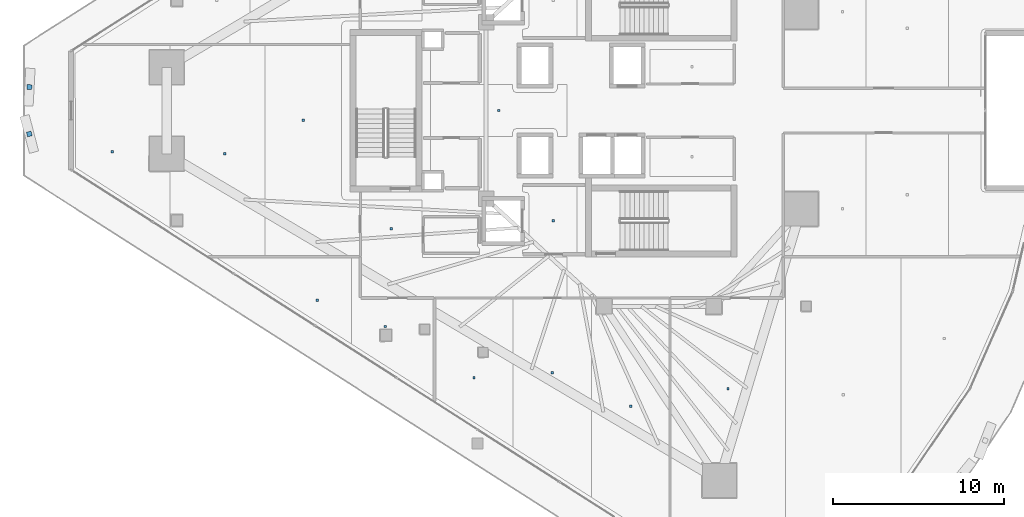
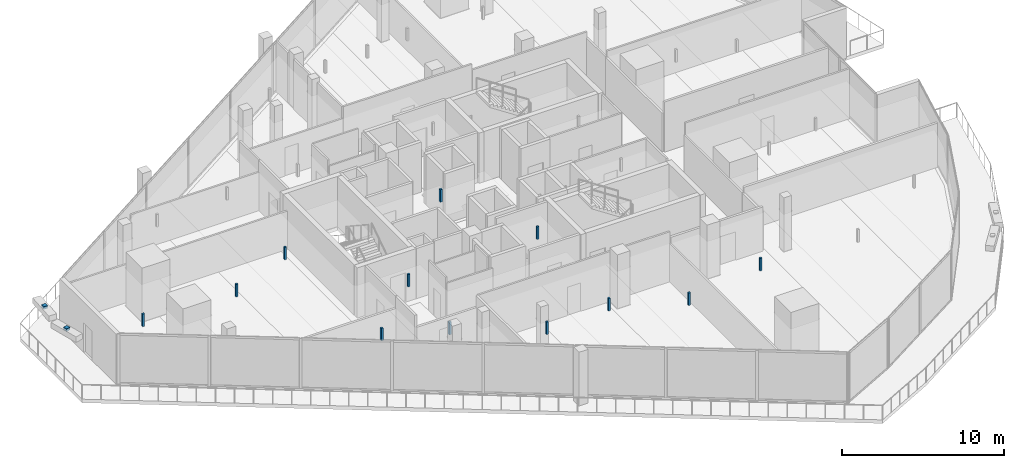
# One storey, part 28 of 37: 14 discrete accessories.
"""IFC4 building model written with IfcOpenShell, lengths in metres."""

from ifc_helpers import new_model, si_unit, direction, frame, origin, origin_2d, place, context, subcontext, project, spatial, rectangle, extrude, material, type_object, element, save


model = new_model("IFC4")

# Units and contexts
model_context = context("Model", 3, precision=1e-05, world=origin(), true_north=direction((0.0, 1.0)))
body_context = subcontext(model_context, "Body", "Model", "MODEL_VIEW")
ifc_project = project(units=[si_unit("LENGTHUNIT", "METRE"), si_unit("AREAUNIT", "SQUARE_METRE"), si_unit("VOLUMEUNIT", "CUBIC_METRE"), si_unit("PLANEANGLEUNIT", "RADIAN"), si_unit("MASSUNIT", "GRAM", prefix="KILO")], contexts=[model_context])

# Site, building, storey
site_placement = place(None, origin())
site = spatial("IfcSite", under=ifc_project, at=site_placement, CompositionType="ELEMENT")
building_placement = place(site_placement, origin())
building = spatial("IfcBuilding", under=site, at=building_placement, Name="Qorvath Tower", CompositionType="ELEMENT")
storey_placement = place(building_placement, frame((0.0, 0.0, 196.949951171875)))
storey = spatial("IfcBuildingStorey", under=building, at=storey_placement, Name="L45", CompositionType="ELEMENT", Elevation=196.949951171875)

# Discrete accessories
ifc_material = material(Name="Galvanised steel bracket", Category="steel")
discrete_accessory_type = type_object("IfcDiscreteAccessoryType", Name="DA-BRACKET", PredefinedType="BRACKET", material=ifc_material)
for number, where, z_axis, x_axis, name in (
    (1, (-57.19873046875, 1.369873046875, 3.64013671875), (0.0, 0.0, 1.0), (-0.053186490579, -0.998584596927, 0.0), "Louvre Wave Support Bracket L45-01"),
    (2, (-57.206298828125, -1.369873046875, 3.64013671875), (0.0, 0.0, 1.0), (0.251647091481, -0.967819064366, 0.0), "Louvre Wave Support Bracket L45-02"),
):
    element("IfcDiscreteAccessory", number, at=place(storey_placement, frame(where, z_axis=z_axis, x_axis=x_axis)), inside=storey, type_object=discrete_accessory_type, Name=name, PredefinedType="NOTDEFINED", context=body_context, shape_type="SweptSolid", body=[
        extrude(rectangle(XDim=0.280029296875, YDim=0.280029296875, at=origin_2d()), origin(), (0.0, 0.0, 1.0), 0.199951171875),
    ])
for number, where, z_axis, x_axis, name in (
    (3, (-26.590087890625, -6.449951171875, 2.85986328125), (0.0, 0.0, 1.0), (1.0, 0.0, 0.0), "Acoustic Ceiling Suspension Hanger T1-L45-002"),
    (4, (-36.04150390625, -6.9072265625, 2.85986328125), (0.0, 0.0, 1.0), (1.0, 0.0, 0.0), "Acoustic Ceiling Suspension Hanger T1-L45-009"),
    (5, (-29.763916015625, 0.0, 2.85986328125), (0.0, 0.0, 1.0), (1.0, 0.0, 0.0), "Acoustic Ceiling Suspension Hanger T1-L45-011"),
    (6, (-40.372802734375, -11.095458984375, 2.85986328125), (0.0, 0.0, 1.0), (1.0, 0.0, 0.0), "Acoustic Ceiling Suspension Hanger T1-L45-020"),
    (7, (-36.405517578125, -12.62158203125, 2.85986328125), (0.0, 0.0, 1.0), (1.0, 0.0, 0.0), "Acoustic Ceiling Suspension Hanger T1-L45-021"),
    (8, (-31.21435546875, -15.607177734375, 2.85986328125), (0.0, 0.0, 1.0), (1.0, 0.0, 0.0), "Acoustic Ceiling Suspension Hanger T1-L45-022"),
    (9, (-26.63134765625, -15.323486328125, 2.85986328125), (0.0, 0.0, 1.0), (1.0, 0.0, 0.0), "Acoustic Ceiling Suspension Hanger T1-L45-023"),
    (10, (-22.048583984375, -17.286376953125, 2.85986328125), (0.0, 0.0, 1.0), (1.0, 0.0, 0.0), "Acoustic Ceiling Suspension Hanger T1-L45-024"),
    (11, (-16.366455078125, -16.272216796875, 2.85986328125), (0.0, 0.0, 1.0), (1.0, 0.0, 0.0), "Acoustic Ceiling Suspension Hanger T1-L45-025"),
    (12, (-52.366455078125, -2.408447265625, 2.85986328125), (0.0, 0.0, 1.0), (1.0, 0.0, 0.0), "Acoustic Ceiling Suspension Hanger T1-L45-034"),
    (13, (-45.773681640625, -2.52783203125, 2.85986328125), (0.0, 0.0, 1.0), (1.0, 0.0, 0.0), "Acoustic Ceiling Suspension Hanger T1-L45-035"),
    (14, (-41.18408203125, -0.56640625, 2.85986328125), (0.0, 0.0, 1.0), (1.0, 0.0, 0.0), "Acoustic Ceiling Suspension Hanger T1-L45-036"),
):
    element("IfcDiscreteAccessory", number, at=place(storey_placement, frame(where, z_axis=z_axis, x_axis=x_axis)), inside=storey, type_object=discrete_accessory_type, Name=name, PredefinedType="NOTDEFINED", context=body_context, shape_type="SweptSolid", body=[
        extrude(rectangle(XDim=0.139892578125, YDim=0.139892578125, at=origin_2d()), origin(), (0.0, 0.0, 1.0), 0.949951171875),
    ])

save(model, "model.ifc")
